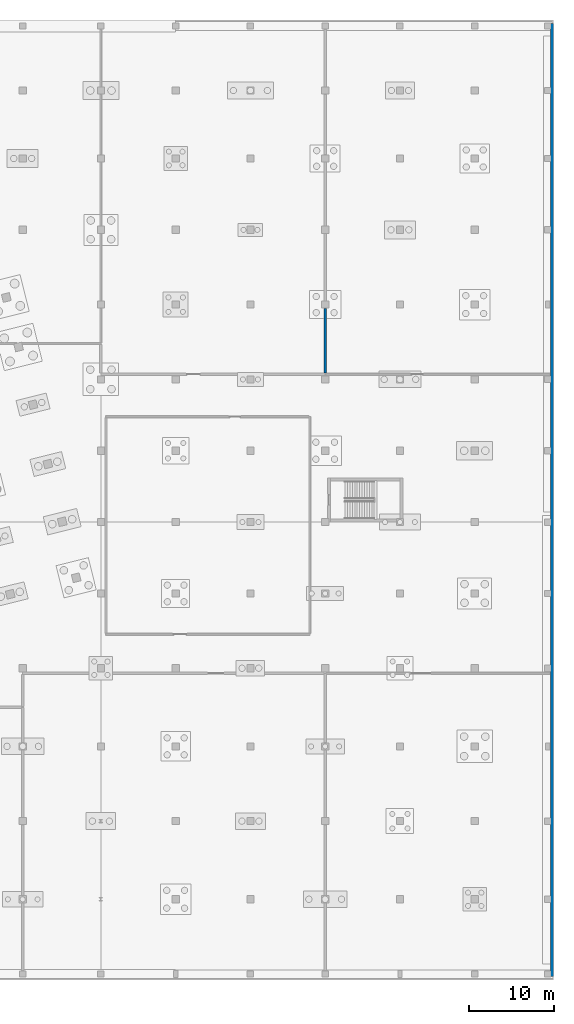
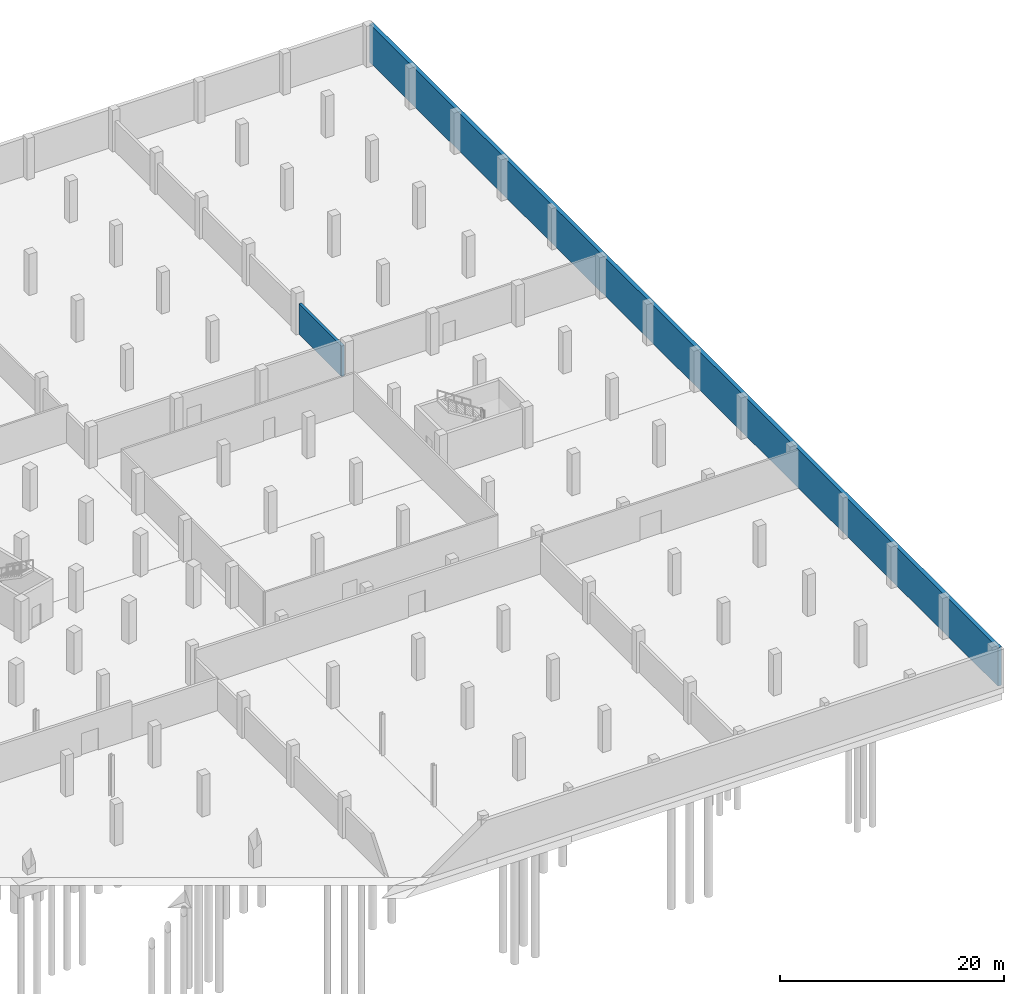
# One storey, part 24 of 29: 2 walls.
"""IFC4 building model written with IfcOpenShell, lengths in metres."""

from ifc_helpers import new_model, si_unit, direction, frame, frame_2d, origin, place, context, subcontext, project, spatial, rectangle, extrude, material, layer, layer_set, type_object, element, save


model = new_model("IFC4")

# Units and contexts
model_context = context("Model", 3, precision=1e-05, world=origin(), true_north=direction((0.0, 1.0)))
body_context = subcontext(model_context, "Body", "Model", "MODEL_VIEW")
ifc_project = project(units=[si_unit("LENGTHUNIT", "METRE"), si_unit("AREAUNIT", "SQUARE_METRE"), si_unit("VOLUMEUNIT", "CUBIC_METRE"), si_unit("PLANEANGLEUNIT", "RADIAN"), si_unit("MASSUNIT", "GRAM", prefix="KILO")], contexts=[model_context])

# Site, building, storey
site_placement = place(None, origin())
site = spatial("IfcSite", under=ifc_project, at=site_placement, CompositionType="ELEMENT")
building_placement = place(site_placement, origin())
building = spatial("IfcBuilding", under=site, at=building_placement, Name="Meriwether Solvik Hall", CompositionType="ELEMENT")
storey_placement = place(building_placement, frame((0.0, 0.0, -9.0)))
storey = spatial("IfcBuildingStorey", under=building, at=storey_placement, Name="B02", CompositionType="ELEMENT", Elevation=-9.0)

# Walls
ifc_material_1 = material(Name="Concrete C40/50", Category="concrete")
ifc_layer_1 = layer(ifc_material_1, 0.39990234375)
ifc_layer_set_1 = layer_set([ifc_layer_1], Name="Concrete C40/50")
wall_type_1 = type_object("IfcWallType", Name="WALL-BSMT-400", PredefinedType="STANDARD", material=ifc_layer_set_1)
wall_1_placement = place(storey_placement, frame((167.300048828125, 4.909912109375, 0.0), z_axis=(0.0, 0.0, 1.0), x_axis=(0.0, 1.0, 0.0)))
element("IfcWall", 1, at=wall_1_placement, inside=storey, type_object=wall_type_1, Name="B02 Perimeter Retaining Wall E", PredefinedType="STANDARD", context=body_context, shape_type="SweptSolid", body=[
    extrude(rectangle(XDim=112.18017578125, YDim=0.39990234375, at=frame_2d((56.090087890625, 0.0))), origin(), (0.0, 0.0, 1.0), 4.169921875),
])
ifc_material_2 = material(Name="Concrete C35/45", Category="concrete")
ifc_layer_2 = layer(ifc_material_2, 0.280029296875)
ifc_layer_set_2 = layer_set([ifc_layer_2], Name="Concrete C35/45")
wall_type_2 = type_object("IfcWallType", Name="WALL-PLANT-280", PredefinedType="STANDARD", material=ifc_layer_set_2)
wall_2_placement = place(storey_placement, frame((140.60009765625, 75.919921875, 0.0), z_axis=(0.0, 0.0, 1.0), x_axis=(0.0, 1.0, 0.0)))
element("IfcWall", 2, at=wall_2_placement, inside=storey, type_object=wall_type_2, Name="B02 Interior Partition tes_vlt_e", PredefinedType="STANDARD", context=body_context, shape_type="SweptSolid", body=[
    extrude(rectangle(XDim=7.64013671875, YDim=0.280029296875, at=frame_2d((3.820068359375, 0.0))), origin(), (0.0, 0.0, 1.0), 3.320068359375),
])

save(model, "model.ifc")
